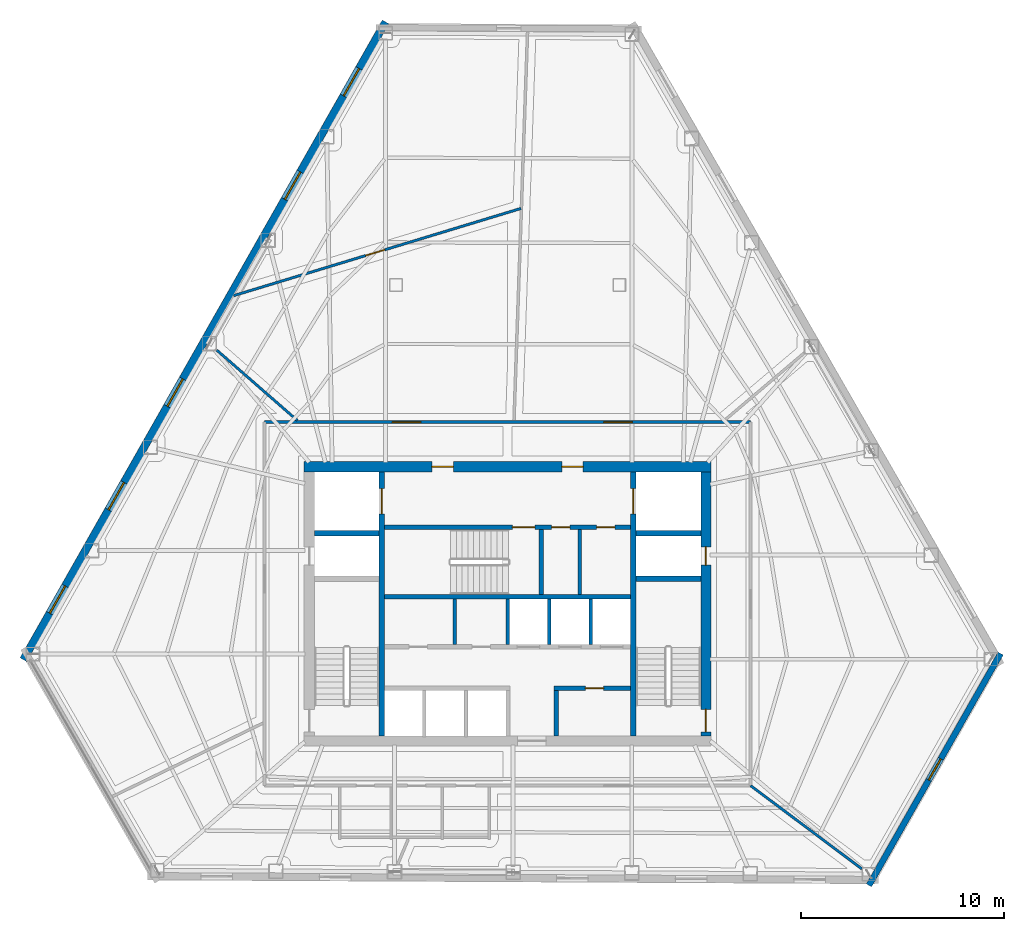
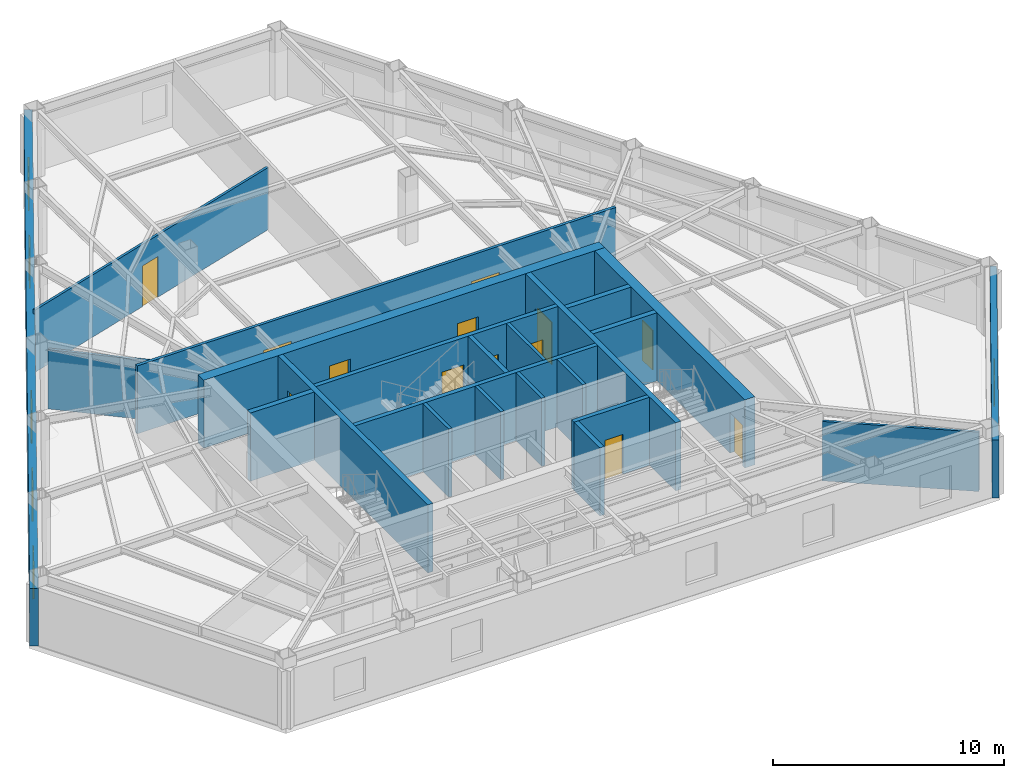
# One storey, part 9 of 13: 23 walls, 13 doors, 6 windows, 19 openings.
"""IFC4 building model written with IfcOpenShell, lengths in metres."""

from ifc_helpers import new_model, si_unit, direction, frame, frame_2d, origin, place, context, subcontext, project, spatial, rectangle, extrude, material, layer, layer_set, type_object, element, fill, save


model = new_model("IFC4")

# Units and contexts
model_context = context("Model", 3, precision=1e-05, world=origin(), true_north=direction((0.0, 1.0)))
body_context = subcontext(model_context, "Body", "Model", "MODEL_VIEW")
ifc_project = project(units=[si_unit("LENGTHUNIT", "METRE"), si_unit("AREAUNIT", "SQUARE_METRE"), si_unit("VOLUMEUNIT", "CUBIC_METRE"), si_unit("PLANEANGLEUNIT", "RADIAN"), si_unit("MASSUNIT", "GRAM", prefix="KILO")], contexts=[model_context])

# Site, building, storey
site_placement = place(None, origin())
site = spatial("IfcSite", under=ifc_project, at=site_placement, CompositionType="ELEMENT")
building_placement = place(site_placement, origin())
building = spatial("IfcBuilding", under=site, at=building_placement, Name="Kavelnor Concourse Tower", CompositionType="ELEMENT")
storey_placement = place(building_placement, frame((0.0, 0.0, 100.89990234375)))
storey = spatial("IfcBuildingStorey", under=building, at=storey_placement, Name="L25", CompositionType="ELEMENT", Elevation=100.89990234375)

# Wall, openings, doors
ifc_material_1 = material(Name="Concrete C60/75", Category="concrete")
ifc_layer_1 = layer(ifc_material_1, 0.5, Name="Concrete C60/75")
ifc_layer_set_1 = layer_set([ifc_layer_1], Name="Concrete C60/75")
wall_type_1 = type_object("IfcWallType", Name="WL-CORE-Z2-500", PredefinedType="SOLIDWALL", material=ifc_layer_set_1)
wall_1_placement = place(storey_placement, frame((27.97998046875, 22.85009765625, 0.0), z_axis=(0.0, 0.0, 1.0), x_axis=(1.0, 0.0, 0.0)))
wall_1 = element("IfcWall", 1, at=wall_1_placement, inside=storey, type_object=wall_type_1, Name="L25 Central Core North Shear Wall", PredefinedType="SOLIDWALL", context=body_context, shape_type="SweptSolid", body=[
    extrude(rectangle(XDim=20.0400390625, YDim=0.5, at=frame_2d((10.02001953125, 0.0))), origin(), (0.0, 0.0, 1.0), 3.60009765625),
])
opening_1_placement = place(wall_1_placement, frame((6.294921875, 0.0, 0.0)))
opening_1 = element("IfcOpeningElement", 2, at=opening_1_placement, cuts=wall_1, Name="Opening FD-105", PredefinedType="OPENING", context=body_context, shape_type="SweptSolid", body=[
    extrude(rectangle(XDim=1.050048828125, YDim=2.14990234375, at=frame_2d((0.52490234375, 1.074951171875))), frame((0.0, 0.260009765625, 0.0), z_axis=(0.0, -1.0, 0.0), x_axis=(1.0, 0.0, 0.0)), (0.0, 0.0, 1.0), 0.52001953125),
])
opening_2_placement = place(wall_1_placement, frame((12.695068359375, 0.0, 0.0)))
opening_2 = element("IfcOpeningElement", 3, at=opening_2_placement, cuts=wall_1, Name="Opening FD-105", PredefinedType="OPENING", context=body_context, shape_type="SweptSolid", body=[
    extrude(rectangle(XDim=1.050048828125, YDim=2.14990234375, at=frame_2d((0.52490234375, 1.074951171875))), frame((0.0, 0.260009765625, 0.0), z_axis=(0.0, -1.0, 0.0), x_axis=(1.0, 0.0, 0.0)), (0.0, 0.0, 1.0), 0.52001953125),
])
ifc_material_2 = material(Name="Steel Grade 350", Category="steel")
door_type_1 = type_object("IfcDoorType", Name="DR-LOBBY-FIRE-1050", OperationType="NOTDEFINED", PredefinedType="DOOR", material=ifc_material_2)
door_1_placement = place(opening_1_placement, origin())
door_1 = element("IfcDoor", 4, at=door_1_placement, inside=storey, type_object=door_type_1, Name="L25 Emergency Lift Lobby West Door", OperationType="SINGLE_SWING_LEFT", OverallHeight=2.14990234375, OverallWidth=1.050048828125, PredefinedType="DOOR", context=body_context, shape_type="SweptSolid", body=[
    extrude(rectangle(XDim=1.050048828125, YDim=2.14990234375, at=frame_2d((0.52490234375, 1.074951171875))), frame((0.0, 0.02490234375, 0.0), z_axis=(0.0, -1.0, 0.0), x_axis=(1.0, 0.0, 0.0)), (0.0, 0.0, 1.0), 0.050048828125),
])
fill(opening_1, door_1)
door_2_placement = place(opening_2_placement, origin())
door_2 = element("IfcDoor", 5, at=door_2_placement, inside=storey, type_object=door_type_1, Name="L25 Emergency Lift Lobby East Door", OperationType="SINGLE_SWING_RIGHT", OverallHeight=2.14990234375, OverallWidth=1.050048828125, PredefinedType="DOOR", context=body_context, shape_type="SweptSolid", body=[
    extrude(rectangle(XDim=1.050048828125, YDim=2.14990234375, at=frame_2d((0.52490234375, 1.074951171875))), frame((0.0, 0.02490234375, 0.0), z_axis=(0.0, -1.0, 0.0), x_axis=(1.0, 0.0, 0.0)), (0.0, 0.0, 1.0), 0.050048828125),
])
fill(opening_2, door_2)

wall_2_placement = place(storey_placement, frame((47.77001953125, 9.60009765625, 0.0), z_axis=(0.0, 0.0, 1.0), x_axis=(0.0, 1.0, 0.0)))
wall_2 = element("IfcWall", 6, at=wall_2_placement, inside=storey, type_object=wall_type_1, Name="L25 Central Core East Shear Wall", PredefinedType="SOLIDWALL", context=body_context, shape_type="SweptSolid", body=[
    extrude(rectangle(XDim=13.0, YDim=0.5, at=frame_2d((6.5, 0.0))), origin(), (0.0, 0.0, 1.0), 3.60009765625),
])
opening_3_placement = place(wall_2_placement, frame((0.199951171875, 0.0, 0.0)))
opening_3 = element("IfcOpeningElement", 7, at=opening_3_placement, cuts=wall_2, Name="Opening FD-110", PredefinedType="OPENING", context=body_context, shape_type="SweptSolid", body=[
    extrude(rectangle(XDim=1.10009765625, YDim=2.14990234375, at=frame_2d((0.550048828125, 1.074951171875))), frame((0.0, 0.260009765625, 0.0), z_axis=(0.0, -1.0, 0.0), x_axis=(1.0, 0.0, 0.0)), (0.0, 0.0, 1.0), 0.52001953125),
])
opening_4_placement = place(wall_2_placement, frame((8.39990234375, 0.0, 0.0)))
opening_4 = element("IfcOpeningElement", 8, at=opening_4_placement, cuts=wall_2, Name="Opening FD-090", PredefinedType="OPENING", context=body_context, shape_type="SweptSolid", body=[
    extrude(rectangle(XDim=0.89990234375, YDim=2.10009765625, at=frame_2d((0.449951171875, 1.050048828125))), frame((0.0, 0.260009765625, 0.0), z_axis=(0.0, -1.0, 0.0), x_axis=(1.0, 0.0, 0.0)), (0.0, 0.0, 1.0), 0.52001953125),
])
door_type_2 = type_object("IfcDoorType", Name="DR-RISER-FIRE-900", OperationType="NOTDEFINED", PredefinedType="DOOR", material=ifc_material_2)
door_3_placement = place(opening_4_placement, origin())
door_3 = element("IfcDoor", 9, at=door_3_placement, inside=storey, type_object=door_type_2, Name="L25 East Riser Access Door", OperationType="SINGLE_SWING_LEFT", OverallHeight=2.10009765625, OverallWidth=0.89990234375, PredefinedType="DOOR", context=body_context, shape_type="SweptSolid", body=[
    extrude(rectangle(XDim=0.89990234375, YDim=2.10009765625, at=frame_2d((0.449951171875, 1.050048828125))), frame((0.0, 0.02490234375, 0.0), z_axis=(0.0, -1.0, 0.0), x_axis=(1.0, 0.0, 0.0)), (0.0, 0.0, 1.0), 0.050048828125),
])
fill(opening_4, door_3)
door_type_3 = type_object("IfcDoorType", Name="DR-STAIR-FIRE-1100", OperationType="NOTDEFINED", PredefinedType="DOOR", material=ifc_material_2)
door_4_placement = place(opening_3_placement, origin())
door_4 = element("IfcDoor", 10, at=door_4_placement, inside=storey, type_object=door_type_3, Name="L25 Stair ST2 Fire Door", OperationType="SINGLE_SWING_RIGHT", OverallHeight=2.14990234375, OverallWidth=1.10009765625, PredefinedType="DOOR", context=body_context, shape_type="SweptSolid", body=[
    extrude(rectangle(XDim=1.10009765625, YDim=2.14990234375, at=frame_2d((0.550048828125, 1.074951171875))), frame((0.0, 0.02490234375, 0.0), z_axis=(0.0, -1.0, 0.0), x_axis=(1.0, 0.0, 0.0)), (0.0, 0.0, 1.0), 0.050048828125),
])
fill(opening_3, door_4)

# Wall, opening, window
ifc_material_3 = material(Name="Buff ironspot clay face brick masonry", Category="masonry")
ifc_layer_2 = layer(ifc_material_3, 0.300048828125, Name="Buff ironspot clay face brick masonry")
ifc_layer_set_2 = layer_set([ifc_layer_2], Name="Buff ironspot clay face brick masonry")
wall_type_2 = type_object("IfcWallType", Name="WL-EXT-BUFF-BRICK-FOLD-300", PredefinedType="STANDARD", material=ifc_layer_set_2)
wall_3_placement = place(storey_placement, frame((62.27978515625, 13.65185546875, 0.0), z_axis=(0.0, 0.0, 1.0), x_axis=(-0.493862788891, -0.869539847131, 0.0)))
wall_3 = element("IfcWall", 11, at=wall_3_placement, inside=storey, type_object=wall_type_2, Name="L25 Exterior Brick Facade Wall E4", PredefinedType="STANDARD", context=body_context, shape_type="SweptSolid", body=[
    extrude(rectangle(XDim=13.1318359375, YDim=0.300048828125, at=frame_2d((6.56591796875, 0.0))), origin(), (0.0, 0.0, 1.0), 3.05908203125),
])
opening_5_placement = place(wall_3_placement, frame((5.9658203125, 0.0, 0.64990234375)))
opening_5 = element("IfcOpeningElement", 12, at=opening_5_placement, cuts=wall_3, Name="Opening W-05", PredefinedType="OPENING", context=body_context, shape_type="SweptSolid", body=[
    extrude(rectangle(XDim=1.199951171875, YDim=1.699951171875, at=frame_2d((0.60009765625, 0.85009765625))), frame((0.0, 0.16015625, 0.0), z_axis=(0.0, -1.0, 0.0), x_axis=(1.0, 0.0, 0.0)), (0.0, 0.0, 1.0), 0.320068359375),
])
ifc_material_4 = material(Name="Double low-E argon insulated glazing", Category="glass")
window_type_1 = type_object("IfcWindowType", Name="WIN-FOLD-1200", PartitioningType="SINGLE_PANEL", PredefinedType="WINDOW", material=ifc_material_4)
window_1_placement = place(opening_5_placement, origin())
window_1 = element("IfcWindow", 13, at=window_1_placement, inside=storey, type_object=window_type_1, Name="L25 Chamfer-Fold Facet Window C2", OverallHeight=1.699951171875, OverallWidth=1.199951171875, PartitioningType="SINGLE_PANEL", PredefinedType="WINDOW", context=body_context, shape_type="SweptSolid", body=[
    extrude(rectangle(XDim=1.199951171875, YDim=1.699951171875, at=frame_2d((0.60009765625, 0.85009765625))), frame((0.0, 0.030029296875, 0.0), z_axis=(0.0, -1.0, 0.0), x_axis=(1.0, 0.0, 0.0)), (0.0, 0.0, 1.0), 0.06005859375),
])
fill(opening_5, window_1)

# Wall, openings, windows
ifc_material_5 = material(Name="Red-ochre clay face brick masonry", Category="masonry")
ifc_layer_3 = layer(ifc_material_5, 0.3798828125, Name="Red-ochre clay face brick masonry")
ifc_layer_set_3 = layer_set([ifc_layer_3], Name="Red-ochre clay face brick masonry")
wall_type_3 = type_object("IfcWallType", Name="WL-EXT-RED-BRICK-PIER-380", PredefinedType="STANDARD", material=ifc_layer_set_3)
wall_4_placement = place(storey_placement, frame((14.154541015625, 13.347412109375, 0.0), z_axis=(0.0, 0.0, 1.0), x_axis=(0.493868426836, 0.869536644986, 0.0)))
wall_4 = element("IfcWall", 14, at=wall_4_placement, inside=storey, type_object=wall_type_3, Name="L25 Exterior Brick Facade Wall E1", PredefinedType="STANDARD", context=body_context, shape_type="SweptSolid", body=[
    extrude(rectangle(XDim=36.12109375, YDim=0.3798828125, at=frame_2d((18.060546875, 0.0))), origin(), (0.0, 0.0, 1.0), 3.05908203125),
])
opening_6_placement = place(wall_4_placement, frame((31.9345703125, 0.0, 0.64990234375)))
opening_6 = element("IfcOpeningElement", 15, at=opening_6_placement, cuts=wall_4, Name="Opening W-02", PredefinedType="OPENING", context=body_context, shape_type="SweptSolid", body=[
    extrude(rectangle(XDim=1.550048828125, YDim=1.75, at=frame_2d((0.77490234375, 0.875))), frame((0.0, 0.199951171875, 0.0), z_axis=(0.0, -1.0, 0.0), x_axis=(1.0, 0.0, 0.0)), (0.0, 0.0, 1.0), 0.39990234375),
])
opening_7_placement = place(wall_4_placement, frame((26.073486328125, 0.0, 0.64990234375)))
opening_7 = element("IfcOpeningElement", 16, at=opening_7_placement, cuts=wall_4, Name="Opening W-02", PredefinedType="OPENING", context=body_context, shape_type="SweptSolid", body=[
    extrude(rectangle(XDim=1.550048828125, YDim=1.75, at=frame_2d((0.77490234375, 0.875))), frame((0.0, 0.199951171875, 0.0), z_axis=(0.0, -1.0, 0.0), x_axis=(1.0, 0.0, 0.0)), (0.0, 0.0, 1.0), 0.39990234375),
])
opening_8_placement = place(wall_4_placement, frame((14.351806640625, 0.0, 0.64990234375)))
opening_8 = element("IfcOpeningElement", 17, at=opening_8_placement, cuts=wall_4, Name="Opening W-02", PredefinedType="OPENING", context=body_context, shape_type="SweptSolid", body=[
    extrude(rectangle(XDim=1.550048828125, YDim=1.75, at=frame_2d((0.77490234375, 0.875))), frame((0.0, 0.199951171875, 0.0), z_axis=(0.0, -1.0, 0.0), x_axis=(1.0, 0.0, 0.0)), (0.0, 0.0, 1.0), 0.39990234375),
])
opening_9_placement = place(wall_4_placement, frame((8.49072265625, 0.0, 0.64990234375)))
opening_9 = element("IfcOpeningElement", 18, at=opening_9_placement, cuts=wall_4, Name="Opening W-02", PredefinedType="OPENING", context=body_context, shape_type="SweptSolid", body=[
    extrude(rectangle(XDim=1.550048828125, YDim=1.75, at=frame_2d((0.77490234375, 0.875))), frame((0.0, 0.199951171875, 0.0), z_axis=(0.0, -1.0, 0.0), x_axis=(1.0, 0.0, 0.0)), (0.0, 0.0, 1.0), 0.39990234375),
])
opening_10_placement = place(wall_4_placement, frame((2.629638671875, 0.0, 0.64990234375)))
opening_10 = element("IfcOpeningElement", 19, at=opening_10_placement, cuts=wall_4, Name="Opening W-02", PredefinedType="OPENING", context=body_context, shape_type="SweptSolid", body=[
    extrude(rectangle(XDim=1.550048828125, YDim=1.75, at=frame_2d((0.77490234375, 0.875))), frame((0.0, 0.199951171875, 0.0), z_axis=(0.0, -1.0, 0.0), x_axis=(1.0, 0.0, 0.0)), (0.0, 0.0, 1.0), 0.39990234375),
])
window_type_2 = type_object("IfcWindowType", Name="WIN-PIER-Z2-1650", PartitioningType="SINGLE_PANEL", PredefinedType="WINDOW", material=ifc_material_4)
window_2_placement = place(opening_6_placement, origin())
window_2 = element("IfcWindow", 20, at=window_2_placement, inside=storey, type_object=window_type_2, Name="L25 Deep-Set Brick Pier Window F0-B0", OverallHeight=1.75, OverallWidth=1.550048828125, PartitioningType="SINGLE_PANEL", PredefinedType="WINDOW", context=body_context, shape_type="SweptSolid", body=[
    extrude(rectangle(XDim=1.550048828125, YDim=1.75, at=frame_2d((0.77490234375, 0.875))), frame((0.0, 0.030029296875, 0.0), z_axis=(0.0, -1.0, 0.0), x_axis=(1.0, 0.0, 0.0)), (0.0, 0.0, 1.0), 0.06005859375),
])
fill(opening_6, window_2)
window_3_placement = place(opening_7_placement, origin())
window_3 = element("IfcWindow", 21, at=window_3_placement, inside=storey, type_object=window_type_2, Name="L25 Deep-Set Brick Pier Window F0-B1", OverallHeight=1.75, OverallWidth=1.550048828125, PartitioningType="SINGLE_PANEL", PredefinedType="WINDOW", context=body_context, shape_type="SweptSolid", body=[
    extrude(rectangle(XDim=1.550048828125, YDim=1.75, at=frame_2d((0.77490234375, 0.875))), frame((0.0, 0.030029296875, 0.0), z_axis=(0.0, -1.0, 0.0), x_axis=(1.0, 0.0, 0.0)), (0.0, 0.0, 1.0), 0.06005859375),
])
fill(opening_7, window_3)
window_4_placement = place(opening_8_placement, origin())
window_4 = element("IfcWindow", 22, at=window_4_placement, inside=storey, type_object=window_type_2, Name="L25 Deep-Set Brick Pier Window F0-B3", OverallHeight=1.75, OverallWidth=1.550048828125, PartitioningType="SINGLE_PANEL", PredefinedType="WINDOW", context=body_context, shape_type="SweptSolid", body=[
    extrude(rectangle(XDim=1.550048828125, YDim=1.75, at=frame_2d((0.77490234375, 0.875))), frame((0.0, 0.030029296875, 0.0), z_axis=(0.0, -1.0, 0.0), x_axis=(1.0, 0.0, 0.0)), (0.0, 0.0, 1.0), 0.06005859375),
])
fill(opening_8, window_4)
window_5_placement = place(opening_9_placement, origin())
window_5 = element("IfcWindow", 23, at=window_5_placement, inside=storey, type_object=window_type_2, Name="L25 Deep-Set Brick Pier Window F0-B4", OverallHeight=1.75, OverallWidth=1.550048828125, PartitioningType="SINGLE_PANEL", PredefinedType="WINDOW", context=body_context, shape_type="SweptSolid", body=[
    extrude(rectangle(XDim=1.550048828125, YDim=1.75, at=frame_2d((0.77490234375, 0.875))), frame((0.0, 0.030029296875, 0.0), z_axis=(0.0, -1.0, 0.0), x_axis=(1.0, 0.0, 0.0)), (0.0, 0.0, 1.0), 0.06005859375),
])
fill(opening_9, window_5)
window_6_placement = place(opening_10_placement, origin())
window_6 = element("IfcWindow", 24, at=window_6_placement, inside=storey, type_object=window_type_2, Name="L25 Deep-Set Brick Pier Window F0-B5", OverallHeight=1.75, OverallWidth=1.550048828125, PartitioningType="SINGLE_PANEL", PredefinedType="WINDOW", context=body_context, shape_type="SweptSolid", body=[
    extrude(rectangle(XDim=1.550048828125, YDim=1.75, at=frame_2d((0.77490234375, 0.875))), frame((0.0, 0.030029296875, 0.0), z_axis=(0.0, -1.0, 0.0), x_axis=(1.0, 0.0, 0.0)), (0.0, 0.0, 1.0), 0.06005859375),
])
fill(opening_10, window_6)

# Wall, openings, doors
ifc_material_6 = material(Name="Gypsum plasterboard on light-gauge steel studs", Category="steel")
ifc_layer_4 = layer(ifc_material_6, 0.14501953125, Name="Gypsum plasterboard on light-gauge steel studs")
ifc_layer_set_4 = layer_set([ifc_layer_4], Name="Gypsum plasterboard on light-gauge steel studs")
wall_type_4 = type_object("IfcWallType", Name="WL-INT-CORR-145", PredefinedType="PARTITIONING", material=ifc_layer_set_4)
wall_5_placement = place(storey_placement, frame((49.969970703125, 25.050048828125, 0.0), z_axis=(0.0, 0.0, 1.0), x_axis=(-1.0, 0.0, 0.0)))
wall_5 = element("IfcWall", 25, at=wall_5_placement, inside=storey, type_object=wall_type_4, Name="L25 Corridor Wall WL-L25-CR-02", PredefinedType="PARTITIONING", context=body_context, shape_type="SweptSolid", body=[
    extrude(rectangle(XDim=23.93994140625, YDim=0.14501953125, at=frame_2d((11.969970703125, 0.0))), origin(), (0.0, 0.0, 1.0), 3.60009765625),
])
opening_11_placement = place(wall_5_placement, frame((5.824462890625, 0.0, 0.0)))
opening_11 = element("IfcOpeningElement", 26, at=opening_11_placement, cuts=wall_5, Name="Opening SD-140", PredefinedType="OPENING", context=body_context, shape_type="SweptSolid", body=[
    extrude(rectangle(XDim=1.39990234375, YDim=2.199951171875, at=frame_2d((0.699951171875, 1.10009765625))), frame((0.0, 0.08251953125, 0.0), z_axis=(0.0, -1.0, 0.0), x_axis=(1.0, 0.0, 0.0)), (0.0, 0.0, 1.0), 0.1650390625),
])
opening_12_placement = place(wall_5_placement, frame((16.23828125, 0.0, 0.0)))
opening_12 = element("IfcOpeningElement", 27, at=opening_12_placement, cuts=wall_5, Name="Opening SD-140", PredefinedType="OPENING", context=body_context, shape_type="SweptSolid", body=[
    extrude(rectangle(XDim=1.39990234375, YDim=2.199951171875, at=frame_2d((0.699951171875, 1.10009765625))), frame((0.0, 0.08251953125, 0.0), z_axis=(0.0, -1.0, 0.0), x_axis=(1.0, 0.0, 0.0)), (0.0, 0.0, 1.0), 0.1650390625),
])
ifc_material_7 = material(Name="Solid-core hardwood timber", Category="wood")
door_type_4 = type_object("IfcDoorType", Name="DR-SUITE-ENTRY-1400", OperationType="NOTDEFINED", PredefinedType="DOOR", material=ifc_material_7)
door_5_placement = place(opening_11_placement, origin())
door_5 = element("IfcDoor", 28, at=door_5_placement, inside=storey, type_object=door_type_4, Name="L25 Architectural Design Studio 01 Door", OperationType="SINGLE_SWING_LEFT", OverallHeight=2.199951171875, OverallWidth=1.39990234375, PredefinedType="DOOR", context=body_context, shape_type="SweptSolid", body=[
    extrude(rectangle(XDim=1.39990234375, YDim=2.199951171875, at=frame_2d((0.699951171875, 1.10009765625))), frame((0.0, 0.02490234375, 0.0), z_axis=(0.0, -1.0, 0.0), x_axis=(1.0, 0.0, 0.0)), (0.0, 0.0, 1.0), 0.050048828125),
])
fill(opening_11, door_5)
door_6_placement = place(opening_12_placement, origin())
door_6 = element("IfcDoor", 29, at=door_6_placement, inside=storey, type_object=door_type_4, Name="L25 Client Concierge 02 Door", OperationType="SINGLE_SWING_RIGHT", OverallHeight=2.199951171875, OverallWidth=1.39990234375, PredefinedType="DOOR", context=body_context, shape_type="SweptSolid", body=[
    extrude(rectangle(XDim=1.39990234375, YDim=2.199951171875, at=frame_2d((0.699951171875, 1.10009765625))), frame((0.0, 0.02490234375, 0.0), z_axis=(0.0, -1.0, 0.0), x_axis=(1.0, 0.0, 0.0)), (0.0, 0.0, 1.0), 0.050048828125),
])
fill(opening_12, door_6)

# Walls
ifc_layer_5 = layer(ifc_material_6, 0.1650390625, Name="Gypsum plasterboard on light-gauge steel studs")
ifc_layer_set_5 = layer_set([ifc_layer_5], Name="Gypsum plasterboard on light-gauge steel studs")
wall_type_5 = type_object("IfcWallType", Name="WL-INT-FIRE-165", PredefinedType="PARTITIONING", material=ifc_layer_set_5)
for number, where, z_axis, x_axis, name in (
    (30, (38.0, 14.10009765625, 0.0), (0.0, 0.0, 1.0), (0.0, 1.0, 0.0), "L25 Reclaimed Core Zone Partition"),
    (31, (35.39990234375, 14.10009765625, 0.0), (0.0, 0.0, 1.0), (0.0, 1.0, 0.0), "L25 Reclaimed Core Split Wall"),
    (32, (40.050048828125, 14.10009765625, 0.0), (0.0, 0.0, 1.0), (0.0, 1.0, 0.0), "L25 Lift Shaft Divider LP4"),
    (33, (42.10009765625, 14.10009765625, 0.0), (0.0, 0.0, 1.0), (0.0, 1.0, 0.0), "L25 Lift Shaft Divider LP5"),
):
    element("IfcWall", number, at=place(storey_placement, frame(where, z_axis=z_axis, x_axis=x_axis)), inside=storey, type_object=wall_type_5, Name=name, PredefinedType="PARTITIONING", context=body_context, shape_type="SweptSolid", body=[
        extrude(rectangle(XDim=2.239990234375, YDim=0.1650390625, at=frame_2d((1.1201171875, 0.0))), origin(), (0.0, 0.0, 1.0), 3.60009765625),
    ])
wall_6_placement = place(storey_placement, frame((41.550048828125, 16.56005859375, 0.0), z_axis=(0.0, 0.0, 1.0), x_axis=(0.0, 1.0, 0.0)))
element("IfcWall", 34, at=wall_6_placement, inside=storey, type_object=wall_type_5, Name="L25 Core North Support Divider", PredefinedType="PARTITIONING", context=body_context, shape_type="SweptSolid", body=[
    extrude(rectangle(XDim=3.199951171875, YDim=0.1650390625, at=frame_2d((1.60009765625, 0.0))), origin(), (0.0, 0.0, 1.0), 3.60009765625),
])
ifc_layer_6 = layer(ifc_material_6, 0.125, Name="Gypsum plasterboard on light-gauge steel studs")
ifc_layer_set_6 = layer_set([ifc_layer_6], Name="Gypsum plasterboard on light-gauge steel studs")
wall_type_6 = type_object("IfcWallType", Name="WL-INT-SUITE-125", PredefinedType="PARTITIONING", material=ifc_layer_set_6)
wall_7_placement = place(storey_placement, frame((27.646484375, 25.130615234375, 0.0), z_axis=(0.0, 0.0, 1.0), x_axis=(-0.753603237889, 0.657329567145, 0.0)))
element("IfcWall", 35, at=wall_7_placement, inside=storey, type_object=wall_type_6, Name="L25 Radial Suite Partition 03", PredefinedType="PARTITIONING", context=body_context, shape_type="SweptSolid", body=[
    extrude(rectangle(XDim=5.26953125, YDim=0.125, at=frame_2d((2.634765625, 0.0))), origin(), (0.0, 0.0, 1.0), 3.14111328125),
])
wall_8_placement = place(storey_placement, frame((49.969970703125, 7.14453125, 0.0), z_axis=(0.0, 0.0, 1.0), x_axis=(0.800705856265, -0.599057703183, 0.0)))
element("IfcWall", 36, at=wall_8_placement, inside=storey, type_object=wall_type_6, Name="L25 Radial Suite Partition 06", PredefinedType="PARTITIONING", context=body_context, shape_type="SweptSolid", body=[
    extrude(rectangle(XDim=6.843017578125, YDim=0.125, at=frame_2d((3.42138671875, 0.0))), origin(), (0.0, 0.0, 1.0), 3.14111328125),
])

# Wall, opening, door
wall_9_placement = place(storey_placement, frame((38.6650390625, 35.57177734375, 0.0), z_axis=(0.0, 0.0, 1.0), x_axis=(-0.956891470712, -0.290445714856, 0.0)))
wall_9 = element("IfcWall", 37, at=wall_9_placement, inside=storey, type_object=wall_type_6, Name="L25 Suite Subdivision Partition 02", PredefinedType="PARTITIONING", context=body_context, shape_type="SweptSolid", body=[
    extrude(rectangle(XDim=14.793212890625, YDim=0.125, at=frame_2d((7.396484375, 0.0))), origin(), (0.0, 0.0, 1.0), 3.2880859375),
])
opening_13_placement = place(wall_9_placement, frame((7.016357421875, 0.0, 0.0)))
opening_13 = element("IfcOpeningElement", 38, at=opening_13_placement, cuts=wall_9, Name="Opening OD-098", PredefinedType="OPENING", context=body_context, shape_type="SweptSolid", body=[
    extrude(rectangle(XDim=0.97998046875, YDim=2.14990234375, at=frame_2d((0.489990234375, 1.074951171875))), frame((0.0, 0.072509765625, 0.0), z_axis=(0.0, -1.0, 0.0), x_axis=(1.0, 0.0, 0.0)), (0.0, 0.0, 1.0), 0.14501953125),
])
door_type_5 = type_object("IfcDoorType", Name="DR-OFFICE-980", OperationType="NOTDEFINED", PredefinedType="DOOR", material=ifc_material_7)
door_7_placement = place(opening_13_placement, origin())
door_7 = element("IfcDoor", 39, at=door_7_placement, inside=storey, type_object=door_type_5, Name="L25 Workplace Open Office 03 Door", OperationType="SINGLE_SWING_LEFT", OverallHeight=2.14990234375, OverallWidth=0.97998046875, PredefinedType="DOOR", context=body_context, shape_type="SweptSolid", body=[
    extrude(rectangle(XDim=0.97998046875, YDim=2.14990234375, at=frame_2d((0.489990234375, 1.074951171875))), frame((0.0, 0.02490234375, 0.0), z_axis=(0.0, -1.0, 0.0), x_axis=(1.0, 0.0, 0.0)), (0.0, 0.0, 1.0), 0.050048828125),
])
fill(opening_13, door_7)

# Wall, openings, doors
ifc_material_8 = material(Name="Concrete C50/60", Category="concrete")
ifc_layer_7 = layer(ifc_material_8, 0.219970703125, Name="Concrete C50/60")
ifc_layer_set_7 = layer_set([ifc_layer_7], Name="Concrete C50/60")
wall_type_7 = type_object("IfcWallType", Name="WL-SHAFT-220", PredefinedType="SOLIDWALL", material=ifc_layer_set_7)
wall_10_placement = place(storey_placement, frame((31.93994140625, 19.8701171875, 0.0), z_axis=(0.0, 0.0, 1.0), x_axis=(1.0, 0.0, 0.0)))
wall_10 = element("IfcWall", 40, at=wall_10_placement, inside=storey, type_object=wall_type_7, Name="L25 Emergency Lift Lobby South Wall", PredefinedType="SOLIDWALL", context=body_context, shape_type="SweptSolid", body=[
    extrude(rectangle(XDim=12.1201171875, YDim=0.219970703125, at=frame_2d((6.06005859375, 0.0))), origin(), (0.0, 0.0, 1.0), 3.60009765625),
])
opening_14_placement = place(wall_10_placement, frame((6.300048828125, 0.0, 0.0)))
opening_14 = element("IfcOpeningElement", 41, at=opening_14_placement, cuts=wall_10, Name="Opening FD-110", PredefinedType="OPENING", context=body_context, shape_type="SweptSolid", body=[
    extrude(rectangle(XDim=1.10009765625, YDim=2.14990234375, at=frame_2d((0.550048828125, 1.074951171875))), frame((0.0, 0.1201171875, 0.0), z_axis=(0.0, -1.0, 0.0), x_axis=(1.0, 0.0, 0.0)), (0.0, 0.0, 1.0), 0.239990234375),
])
opening_15_placement = place(wall_10_placement, frame((8.22998046875, 0.0, 0.0)))
opening_15 = element("IfcOpeningElement", 42, at=opening_15_placement, cuts=wall_10, Name="Opening FD-090", PredefinedType="OPENING", context=body_context, shape_type="SweptSolid", body=[
    extrude(rectangle(XDim=0.89990234375, YDim=2.10009765625, at=frame_2d((0.449951171875, 1.050048828125))), frame((0.0, 0.1201171875, 0.0), z_axis=(0.0, -1.0, 0.0), x_axis=(1.0, 0.0, 0.0)), (0.0, 0.0, 1.0), 0.239990234375),
])
opening_16_placement = place(wall_10_placement, frame((10.449951171875, 0.0, 0.0)))
opening_16 = element("IfcOpeningElement", 43, at=opening_16_placement, cuts=wall_10, Name="Opening FD-090", PredefinedType="OPENING", context=body_context, shape_type="SweptSolid", body=[
    extrude(rectangle(XDim=0.89990234375, YDim=2.10009765625, at=frame_2d((0.449951171875, 1.050048828125))), frame((0.0, 0.1201171875, 0.0), z_axis=(0.0, -1.0, 0.0), x_axis=(1.0, 0.0, 0.0)), (0.0, 0.0, 1.0), 0.239990234375),
])
door_8_placement = place(opening_15_placement, origin())
door_8 = element("IfcDoor", 44, at=door_8_placement, inside=storey, type_object=door_type_2, Name="L25 Telecom Room Door", OperationType="SINGLE_SWING_LEFT", OverallHeight=2.10009765625, OverallWidth=0.89990234375, PredefinedType="DOOR", context=body_context, shape_type="SweptSolid", body=[
    extrude(rectangle(XDim=0.89990234375, YDim=2.10009765625, at=frame_2d((0.449951171875, 1.050048828125))), frame((0.0, 0.02490234375, 0.0), z_axis=(0.0, -1.0, 0.0), x_axis=(1.0, 0.0, 0.0)), (0.0, 0.0, 1.0), 0.050048828125),
])
fill(opening_15, door_8)
door_9_placement = place(opening_16_placement, origin())
door_9 = element("IfcDoor", 45, at=door_9_placement, inside=storey, type_object=door_type_2, Name="L25 Janitor Store Door", OperationType="SINGLE_SWING_RIGHT", OverallHeight=2.10009765625, OverallWidth=0.89990234375, PredefinedType="DOOR", context=body_context, shape_type="SweptSolid", body=[
    extrude(rectangle(XDim=0.89990234375, YDim=2.10009765625, at=frame_2d((0.449951171875, 1.050048828125))), frame((0.0, 0.02490234375, 0.0), z_axis=(0.0, -1.0, 0.0), x_axis=(1.0, 0.0, 0.0)), (0.0, 0.0, 1.0), 0.050048828125),
])
fill(opening_16, door_9)
door_10_placement = place(opening_14_placement, origin())
door_10 = element("IfcDoor", 46, at=door_10_placement, inside=storey, type_object=door_type_3, Name="L25 Stair ST3 Fire Door", OperationType="SINGLE_SWING_LEFT", OverallHeight=2.14990234375, OverallWidth=1.10009765625, PredefinedType="DOOR", context=body_context, shape_type="SweptSolid", body=[
    extrude(rectangle(XDim=1.10009765625, YDim=2.14990234375, at=frame_2d((0.550048828125, 1.074951171875))), frame((0.0, 0.02490234375, 0.0), z_axis=(0.0, -1.0, 0.0), x_axis=(1.0, 0.0, 0.0)), (0.0, 0.0, 1.0), 0.050048828125),
])
fill(opening_14, door_10)

# Walls
wall_11_placement = place(storey_placement, frame((31.93994140625, 16.449951171875, 0.0), z_axis=(0.0, 0.0, 1.0), x_axis=(1.0, 0.0, 0.0)))
element("IfcWall", 47, at=wall_11_placement, inside=storey, type_object=wall_type_7, Name="L25 Stair ST3 South Core Wall", PredefinedType="SOLIDWALL", context=body_context, shape_type="SweptSolid", body=[
    extrude(rectangle(XDim=12.1201171875, YDim=0.219970703125, at=frame_2d((6.06005859375, 0.0))), origin(), (0.0, 0.0, 1.0), 3.60009765625),
])
wall_12_placement = place(storey_placement, frame((39.64990234375, 16.56005859375, 0.0), z_axis=(0.0, 0.0, 1.0), x_axis=(0.0, 1.0, 0.0)))
element("IfcWall", 48, at=wall_12_placement, inside=storey, type_object=wall_type_7, Name="L25 Stair ST3 East Core Wall", PredefinedType="SOLIDWALL", context=body_context, shape_type="SweptSolid", body=[
    extrude(rectangle(XDim=3.199951171875, YDim=0.219970703125, at=frame_2d((1.60009765625, 0.0))), origin(), (0.0, 0.0, 1.0), 3.60009765625),
])

# Wall, opening, door
wall_13_placement = place(storey_placement, frame((40.280029296875, 11.949951171875, 0.0), z_axis=(0.0, 0.0, 1.0), x_axis=(1.0, 0.0, 0.0)))
wall_13 = element("IfcWall", 49, at=wall_13_placement, inside=storey, type_object=wall_type_7, Name="L25 Core South Support North Wall", PredefinedType="SOLIDWALL", context=body_context, shape_type="SweptSolid", body=[
    extrude(rectangle(XDim=3.780029296875, YDim=0.219970703125, at=frame_2d((1.89013671875, 0.0))), origin(), (0.0, 0.0, 1.0), 3.60009765625),
])
opening_17_placement = place(wall_13_placement, frame((1.550048828125, 0.0, 0.0)))
opening_17 = element("IfcOpeningElement", 50, at=opening_17_placement, cuts=wall_13, Name="Opening FD-090", PredefinedType="OPENING", context=body_context, shape_type="SweptSolid", body=[
    extrude(rectangle(XDim=0.89990234375, YDim=2.10009765625, at=frame_2d((0.449951171875, 1.050048828125))), frame((0.0, 0.1201171875, 0.0), z_axis=(0.0, -1.0, 0.0), x_axis=(1.0, 0.0, 0.0)), (0.0, 0.0, 1.0), 0.239990234375),
])
door_11_placement = place(opening_17_placement, origin())
door_11 = element("IfcDoor", 51, at=door_11_placement, inside=storey, type_object=door_type_2, Name="L25 BMS Metering Door", OperationType="SINGLE_SWING_RIGHT", OverallHeight=2.10009765625, OverallWidth=0.89990234375, PredefinedType="DOOR", context=body_context, shape_type="SweptSolid", body=[
    extrude(rectangle(XDim=0.89990234375, YDim=2.10009765625, at=frame_2d((0.449951171875, 1.050048828125))), frame((0.0, 0.02490234375, 0.0), z_axis=(0.0, -1.0, 0.0), x_axis=(1.0, 0.0, 0.0)), (0.0, 0.0, 1.0), 0.050048828125),
])
fill(opening_17, door_11)

# Wall
wall_14_placement = place(storey_placement, frame((40.389892578125, 9.60009765625, 0.0), z_axis=(0.0, 0.0, 1.0), x_axis=(0.0, 1.0, 0.0)))
element("IfcWall", 52, at=wall_14_placement, inside=storey, type_object=wall_type_7, Name="L25 Lift Lobby Throat East Wall", PredefinedType="SOLIDWALL", context=body_context, shape_type="SweptSolid", body=[
    extrude(rectangle(XDim=2.239990234375, YDim=0.219970703125, at=frame_2d((1.1201171875, 0.0))), origin(), (0.0, 0.0, 1.0), 3.60009765625),
])

# Wall, opening, door
ifc_layer_8 = layer(ifc_material_8, 0.260009765625, Name="Concrete C50/60")
ifc_layer_set_8 = layer_set([ifc_layer_8], Name="Concrete C50/60")
wall_type_8 = type_object("IfcWallType", Name="WL-SHAFT-260", PredefinedType="SHEAR", material=ifc_layer_set_8)
wall_15_placement = place(storey_placement, frame((31.81005859375, 9.60009765625, 0.0), z_axis=(0.0, 0.0, 1.0), x_axis=(0.0, 1.0, 0.0)))
wall_15 = element("IfcWall", 53, at=wall_15_placement, inside=storey, type_object=wall_type_8, Name="L25 Core West Wing Shear Wall", PredefinedType="SHEAR", context=body_context, shape_type="SweptSolid", body=[
    extrude(rectangle(XDim=13.0, YDim=0.260009765625, at=frame_2d((6.5, 0.0))), origin(), (0.0, 0.0, 1.0), 3.60009765625),
])
opening_18_placement = place(wall_15_placement, frame((10.925048828125, 0.0, 0.0)))
opening_18 = element("IfcOpeningElement", 54, at=opening_18_placement, cuts=wall_15, Name="Opening LD-125", PredefinedType="OPENING", context=body_context, shape_type="SweptSolid", body=[
    extrude(rectangle(XDim=1.25, YDim=2.25, at=frame_2d((0.625, 1.125))), frame((0.0, 0.14013671875, 0.0), z_axis=(0.0, -1.0, 0.0), x_axis=(1.0, 0.0, 0.0)), (0.0, 0.0, 1.0), 0.280029296875),
])
door_type_6 = type_object("IfcDoorType", Name="DR-LIFT-SLIDING-1250", OperationType="NOTDEFINED", PredefinedType="DOOR", material=ifc_material_2)
door_12_placement = place(opening_18_placement, origin())
door_12 = element("IfcDoor", 55, at=door_12_placement, inside=storey, type_object=door_type_6, Name="L25 Emergency Lift FL1 Landing Door", OperationType="DOUBLE_DOOR_SLIDING", OverallHeight=2.25, OverallWidth=1.25, PredefinedType="DOOR", context=body_context, shape_type="SweptSolid", body=[
    extrude(rectangle(XDim=1.25, YDim=2.25, at=frame_2d((0.625, 1.125))), frame((0.0, 0.02490234375, 0.0), z_axis=(0.0, -1.0, 0.0), x_axis=(1.0, 0.0, 0.0)), (0.0, 0.0, 1.0), 0.050048828125),
])
fill(opening_18, door_12)

wall_16_placement = place(storey_placement, frame((44.18994140625, 9.60009765625, 0.0), z_axis=(0.0, 0.0, 1.0), x_axis=(0.0, 1.0, 0.0)))
wall_16 = element("IfcWall", 56, at=wall_16_placement, inside=storey, type_object=wall_type_8, Name="L25 Core East Wing Shear Wall", PredefinedType="SHEAR", context=body_context, shape_type="SweptSolid", body=[
    extrude(rectangle(XDim=13.0, YDim=0.260009765625, at=frame_2d((6.5, 0.0))), origin(), (0.0, 0.0, 1.0), 3.60009765625),
])
opening_19_placement = place(wall_16_placement, frame((10.925048828125, 0.0, 0.0)))
opening_19 = element("IfcOpeningElement", 57, at=opening_19_placement, cuts=wall_16, Name="Opening LD-125", PredefinedType="OPENING", context=body_context, shape_type="SweptSolid", body=[
    extrude(rectangle(XDim=1.25, YDim=2.25, at=frame_2d((0.625, 1.125))), frame((0.0, 0.14013671875, 0.0), z_axis=(0.0, -1.0, 0.0), x_axis=(1.0, 0.0, 0.0)), (0.0, 0.0, 1.0), 0.280029296875),
])
door_13_placement = place(opening_19_placement, origin())
door_13 = element("IfcDoor", 58, at=door_13_placement, inside=storey, type_object=door_type_6, Name="L25 Emergency Lift FL2 Landing Door", OperationType="DOUBLE_DOOR_SLIDING", OverallHeight=2.25, OverallWidth=1.25, PredefinedType="DOOR", context=body_context, shape_type="SweptSolid", body=[
    extrude(rectangle(XDim=1.25, YDim=2.25, at=frame_2d((0.625, 1.125))), frame((0.0, 0.02490234375, 0.0), z_axis=(0.0, -1.0, 0.0), x_axis=(1.0, 0.0, 0.0)), (0.0, 0.0, 1.0), 0.050048828125),
])
fill(opening_19, door_13)

# Walls
for number, where, z_axis, x_axis, name in (
    (59, (28.47998046875, 19.570068359375, 0.0), (0.0, 0.0, 1.0), (1.0, 0.0, 0.0), "L25 Emergency Lift FL1 South Shaft Wall"),
    (60, (44.320068359375, 17.330078125, 0.0), (0.0, 0.0, 1.0), (1.0, 0.0, 0.0), "L25 Stair ST2 North Shaft Wall"),
    (61, (44.320068359375, 19.570068359375, 0.0), (0.0, 0.0, 1.0), (1.0, 0.0, 0.0), "L25 Emergency Lift FL2 South Shaft Wall"),
):
    element("IfcWall", number, at=place(storey_placement, frame(where, z_axis=z_axis, x_axis=x_axis)), inside=storey, type_object=wall_type_8, Name=name, PredefinedType="SHEAR", context=body_context, shape_type="SweptSolid", body=[
        extrude(rectangle(XDim=3.199951171875, YDim=0.260009765625, at=frame_2d((1.60009765625, 0.0))), origin(), (0.0, 0.0, 1.0), 3.60009765625),
    ])

save(model, "model.ifc")
